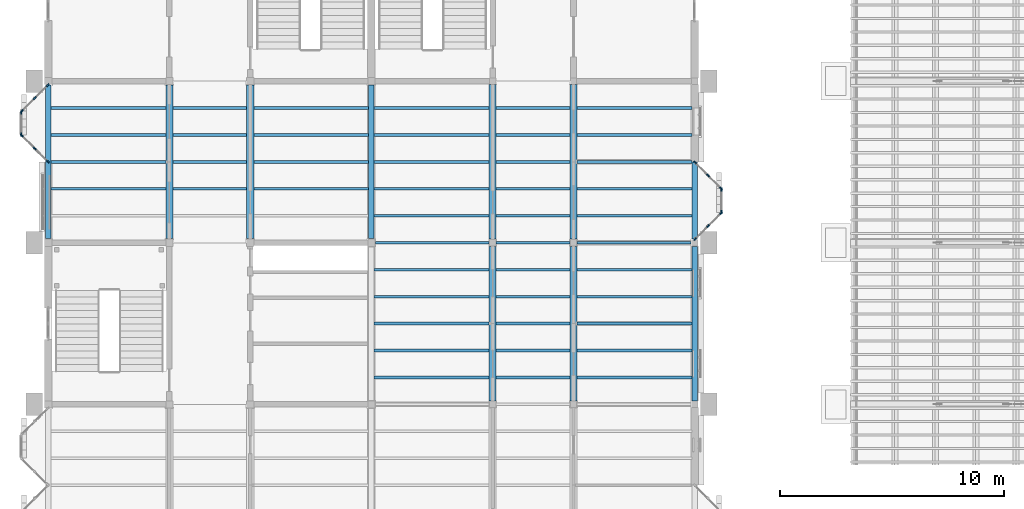
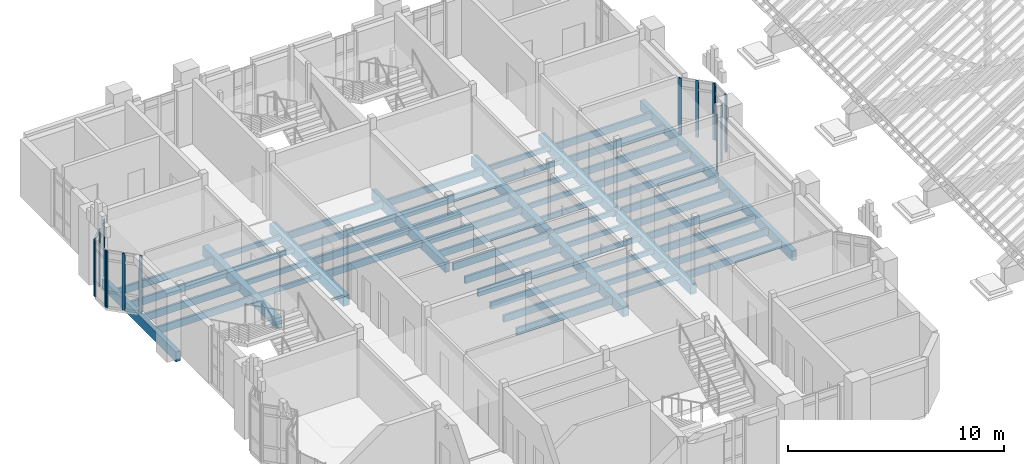
# One storey, part 6 of 71: 55 beams, 16 members, 6 elements without a shape of their own.
"""IFC4 building model written with IfcOpenShell, lengths in metres."""

from ifc_helpers import new_model, si_unit, direction, frame, origin, origin_2d, place, context, subcontext, project, spatial, rectangle, extrude, material, layer, layer_set, material_profile, profile_set, type_object, element, aggregate, save


model = new_model("IFC4")

# Units and contexts
model_context = context("Model", 3, precision=1e-05, world=origin(), true_north=direction((0.0, 1.0)))
body_context = subcontext(model_context, "Body", "Model", "MODEL_VIEW")
ifc_project = project(units=[si_unit("LENGTHUNIT", "METRE"), si_unit("AREAUNIT", "SQUARE_METRE"), si_unit("VOLUMEUNIT", "CUBIC_METRE"), si_unit("PLANEANGLEUNIT", "RADIAN"), si_unit("MASSUNIT", "GRAM", prefix="KILO")], contexts=[model_context])

# Site, building, storey
site_placement = place(None, origin())
site = spatial("IfcSite", under=ifc_project, at=site_placement, CompositionType="ELEMENT")
building_placement = place(site_placement, origin())
building = spatial("IfcBuilding", under=site, at=building_placement, Name="Mazhai Court Health Centre", CompositionType="ELEMENT")
storey_placement = place(building_placement, frame((0.0, 0.0, 10.199951171875)))
storey = spatial("IfcBuildingStorey", under=building, at=storey_placement, Name="L02", CompositionType="ELEMENT", Elevation=10.199951171875)

# Curtain wall, members
ifc_material_1 = material(Name="Teak timber frame, glazed", Category="wood")
ifc_layer = layer(ifc_material_1, 0.10009765625)
ifc_layer_set = layer_set([ifc_layer], Name="CURTAIN WALL TIMBER 900")
curtain_wall_type = type_object("IfcCurtainWallType", Name="CURTAIN WALL TIMBER 900", PredefinedType="NOTDEFINED", material=ifc_layer_set)
curtain_wall_1_placement = place(storey_placement, origin())
curtain_wall_1 = element("IfcCurtainWall", 1, at=curtain_wall_1_placement, inside=storey, type_object=curtain_wall_type, Name="CW-ORIEL-V2-L02-A31-0", PredefinedType="NOTDEFINED")
ifc_material_2 = material(Name="Teak timber", Category="wood")
ifc_material_profile_1 = material_profile(ifc_material_2, rectangle(XDim=0.06005859375, YDim=0.159912109375, at=origin_2d()), Name="CW MULLION 60x160")
ifc_profile_set_1 = profile_set([ifc_material_profile_1], Name="Teak timber")
member_type = type_object("IfcMemberType", Name="CW MULLION 60x160", PredefinedType="MULLION", material=ifc_profile_set_1)
member_1_placement = place(storey_placement, frame((6.1787109375, 31.421142578125, 0.0), z_axis=(0.0, 0.0, 1.0), x_axis=(-0.707106781187, -0.707106781187, 0.0)))
member_1 = element("IfcMember", 2, at=member_1_placement, type_object=member_type, Name="CW mullion 1", PredefinedType="MULLION", context=body_context, shape_type="SweptSolid", body=[
    extrude(rectangle(XDim=0.06005859375, YDim=0.159912109375, at=origin_2d()), origin(), (0.0, 0.0, 1.0), 3.219970703125),
])
member_2_placement = place(storey_placement, frame((5.60009765625, 32.0, 0.0), z_axis=(0.0, 0.0, 1.0), x_axis=(-0.707106781187, -0.707106781187, 0.0)))
member_2 = element("IfcMember", 3, at=member_2_placement, type_object=member_type, Name="CW mullion 2", PredefinedType="MULLION", context=body_context, shape_type="SweptSolid", body=[
    extrude(rectangle(XDim=0.06005859375, YDim=0.159912109375, at=origin_2d()), origin(), (0.0, 0.0, 1.0), 3.219970703125),
])
member_3_placement = place(storey_placement, frame((5.021240234375, 32.578857421875, 0.0), z_axis=(0.0, 0.0, 1.0), x_axis=(-0.707106781187, -0.707106781187, 0.0)))
member_3 = element("IfcMember", 4, at=member_3_placement, type_object=member_type, Name="CW mullion 3", PredefinedType="MULLION", context=body_context, shape_type="SweptSolid", body=[
    extrude(rectangle(XDim=0.06005859375, YDim=0.159912109375, at=origin_2d()), origin(), (0.0, 0.0, 1.0), 3.219970703125),
])
aggregate(curtain_wall_1, [member_1, member_2, member_3])

curtain_wall_2_placement = place(storey_placement, origin())
curtain_wall_2 = element("IfcCurtainWall", 5, at=curtain_wall_2_placement, inside=storey, type_object=curtain_wall_type, Name="CW-ORIEL-V2-L02-A31-1", PredefinedType="NOTDEFINED")
member_4_placement = place(storey_placement, frame((5.0, 32.6298828125, 0.0), z_axis=(0.0, 0.0, 1.0), x_axis=(-1.0, 0.0, 0.0)))
member_4 = element("IfcMember", 6, at=member_4_placement, type_object=member_type, Name="CW mullion 1", PredefinedType="MULLION", context=body_context, shape_type="SweptSolid", body=[
    extrude(rectangle(XDim=0.06005859375, YDim=0.159912109375, at=origin_2d()), origin(), (0.0, 0.0, 1.0), 3.219970703125),
])
member_5_placement = place(storey_placement, frame((5.0, 33.610107421875, 0.0), z_axis=(0.0, 0.0, 1.0), x_axis=(-1.0, 0.0, 0.0)))
member_5 = element("IfcMember", 7, at=member_5_placement, type_object=member_type, Name="CW mullion 2", PredefinedType="MULLION", context=body_context, shape_type="SweptSolid", body=[
    extrude(rectangle(XDim=0.06005859375, YDim=0.159912109375, at=origin_2d()), origin(), (0.0, 0.0, 1.0), 3.219970703125),
])
aggregate(curtain_wall_2, [member_4, member_5])

curtain_wall_3_placement = place(storey_placement, origin())
curtain_wall_3 = element("IfcCurtainWall", 8, at=curtain_wall_3_placement, inside=storey, type_object=curtain_wall_type, Name="CW-ORIEL-V2-L02-A31-2", PredefinedType="NOTDEFINED")
member_6_placement = place(storey_placement, frame((5.021240234375, 33.6611328125, 0.0), z_axis=(0.0, 0.0, 1.0), x_axis=(-0.707106781187, 0.707106781187, 0.0)))
member_6 = element("IfcMember", 9, at=member_6_placement, type_object=member_type, Name="CW mullion 1", PredefinedType="MULLION", context=body_context, shape_type="SweptSolid", body=[
    extrude(rectangle(XDim=0.06005859375, YDim=0.159912109375, at=origin_2d()), origin(), (0.0, 0.0, 1.0), 3.219970703125),
])
member_7_placement = place(storey_placement, frame((5.60009765625, 34.239990234375, 0.0), z_axis=(0.0, 0.0, 1.0), x_axis=(-0.707106781187, 0.707106781187, 0.0)))
member_7 = element("IfcMember", 10, at=member_7_placement, type_object=member_type, Name="CW mullion 2", PredefinedType="MULLION", context=body_context, shape_type="SweptSolid", body=[
    extrude(rectangle(XDim=0.06005859375, YDim=0.159912109375, at=origin_2d()), origin(), (0.0, 0.0, 1.0), 3.219970703125),
])
member_8_placement = place(storey_placement, frame((6.1787109375, 34.81884765625, 0.0), z_axis=(0.0, 0.0, 1.0), x_axis=(-0.707106781187, 0.707106781187, 0.0)))
member_8 = element("IfcMember", 11, at=member_8_placement, type_object=member_type, Name="CW mullion 3", PredefinedType="MULLION", context=body_context, shape_type="SweptSolid", body=[
    extrude(rectangle(XDim=0.06005859375, YDim=0.159912109375, at=origin_2d()), origin(), (0.0, 0.0, 1.0), 3.219970703125),
])
aggregate(curtain_wall_3, [member_6, member_7, member_8])

curtain_wall_4_placement = place(storey_placement, origin())
curtain_wall_4 = element("IfcCurtainWall", 12, at=curtain_wall_4_placement, inside=storey, type_object=curtain_wall_type, Name="CW-ORIEL-V5-L02-B30-0", PredefinedType="NOTDEFINED")
member_9_placement = place(storey_placement, frame((35.021240234375, 27.961181640625, 0.0), z_axis=(0.0, 0.0, 1.0), x_axis=(-0.707106781187, 0.707106781187, 0.0)))
member_9 = element("IfcMember", 13, at=member_9_placement, type_object=member_type, Name="CW mullion 1", PredefinedType="MULLION", context=body_context, shape_type="SweptSolid", body=[
    extrude(rectangle(XDim=0.06005859375, YDim=0.159912109375, at=origin_2d()), origin(), (0.0, 0.0, 1.0), 3.219970703125),
])
member_10_placement = place(storey_placement, frame((35.60009765625, 28.5400390625, 0.0), z_axis=(0.0, 0.0, 1.0), x_axis=(-0.707106781187, 0.707106781187, 0.0)))
member_10 = element("IfcMember", 14, at=member_10_placement, type_object=member_type, Name="CW mullion 2", PredefinedType="MULLION", context=body_context, shape_type="SweptSolid", body=[
    extrude(rectangle(XDim=0.06005859375, YDim=0.159912109375, at=origin_2d()), origin(), (0.0, 0.0, 1.0), 3.219970703125),
])
member_11_placement = place(storey_placement, frame((36.1787109375, 29.118896484375, 0.0), z_axis=(0.0, 0.0, 1.0), x_axis=(-0.707106781187, 0.707106781187, 0.0)))
member_11 = element("IfcMember", 15, at=member_11_placement, type_object=member_type, Name="CW mullion 3", PredefinedType="MULLION", context=body_context, shape_type="SweptSolid", body=[
    extrude(rectangle(XDim=0.06005859375, YDim=0.159912109375, at=origin_2d()), origin(), (0.0, 0.0, 1.0), 3.219970703125),
])
aggregate(curtain_wall_4, [member_9, member_10, member_11])

curtain_wall_5_placement = place(storey_placement, origin())
curtain_wall_5 = element("IfcCurtainWall", 16, at=curtain_wall_5_placement, inside=storey, type_object=curtain_wall_type, Name="CW-ORIEL-V5-L02-B30-1", PredefinedType="NOTDEFINED")
member_12_placement = place(storey_placement, frame((36.199951171875, 29.169921875, 0.0), z_axis=(0.0, 0.0, 1.0), x_axis=(-1.0, 0.0, 0.0)))
member_12 = element("IfcMember", 17, at=member_12_placement, type_object=member_type, Name="CW mullion 1", PredefinedType="MULLION", context=body_context, shape_type="SweptSolid", body=[
    extrude(rectangle(XDim=0.06005859375, YDim=0.159912109375, at=origin_2d()), origin(), (0.0, 0.0, 1.0), 3.219970703125),
])
member_13_placement = place(storey_placement, frame((36.199951171875, 30.169921875, 0.0), z_axis=(0.0, 0.0, 1.0), x_axis=(-1.0, 0.0, 0.0)))
member_13 = element("IfcMember", 18, at=member_13_placement, type_object=member_type, Name="CW mullion 2", PredefinedType="MULLION", context=body_context, shape_type="SweptSolid", body=[
    extrude(rectangle(XDim=0.06005859375, YDim=0.159912109375, at=origin_2d()), origin(), (0.0, 0.0, 1.0), 3.219970703125),
])
aggregate(curtain_wall_5, [member_12, member_13])

curtain_wall_6_placement = place(storey_placement, origin())
curtain_wall_6 = element("IfcCurtainWall", 19, at=curtain_wall_6_placement, inside=storey, type_object=curtain_wall_type, Name="CW-ORIEL-V5-L02-B30-2", PredefinedType="NOTDEFINED")
member_14_placement = place(storey_placement, frame((36.1787109375, 30.22119140625, 0.0), z_axis=(0.0, 0.0, 1.0), x_axis=(-0.707106781187, -0.707106781187, 0.0)))
member_14 = element("IfcMember", 20, at=member_14_placement, type_object=member_type, Name="CW mullion 1", PredefinedType="MULLION", context=body_context, shape_type="SweptSolid", body=[
    extrude(rectangle(XDim=0.06005859375, YDim=0.159912109375, at=origin_2d()), origin(), (0.0, 0.0, 1.0), 3.219970703125),
])
member_15_placement = place(storey_placement, frame((35.60009765625, 30.800048828125, 0.0), z_axis=(0.0, 0.0, 1.0), x_axis=(-0.707106781187, -0.707106781187, 0.0)))
member_15 = element("IfcMember", 21, at=member_15_placement, type_object=member_type, Name="CW mullion 2", PredefinedType="MULLION", context=body_context, shape_type="SweptSolid", body=[
    extrude(rectangle(XDim=0.06005859375, YDim=0.159912109375, at=origin_2d()), origin(), (0.0, 0.0, 1.0), 3.219970703125),
])
member_16_placement = place(storey_placement, frame((35.021240234375, 31.37890625, 0.0), z_axis=(0.0, 0.0, 1.0), x_axis=(-0.707106781187, -0.707106781187, 0.0)))
member_16 = element("IfcMember", 22, at=member_16_placement, type_object=member_type, Name="CW mullion 3", PredefinedType="MULLION", context=body_context, shape_type="SweptSolid", body=[
    extrude(rectangle(XDim=0.06005859375, YDim=0.159912109375, at=origin_2d()), origin(), (0.0, 0.0, 1.0), 3.219970703125),
])
aggregate(curtain_wall_6, [member_14, member_15, member_16])

# Beams
ifc_material_3 = material(Name="Glulam GL24h", Category="wood")
ifc_material_profile_2 = material_profile(ifc_material_3, rectangle(XDim=0.1201171875, YDim=0.280029296875, at=origin_2d()), Name="GL24h 120x280")
ifc_profile_set_2 = profile_set([ifc_material_profile_2], Name="Glulam GL24h")
beam_type_1 = type_object("IfcBeamType", Name="GL24h 120x280 joist", PredefinedType="JOIST", material=ifc_profile_set_2)
for number, where, z_axis, x_axis, name in (
    (23, (11.760009765625, 30.199951171875, -0.260009765625), (1.0, 0.0, 0.0), (0.0, 1.0, 0.0), "joist-V2-L02-3-B2"),
    (24, (11.760009765625, 31.39990234375, -0.260009765625), (1.0, 0.0, 0.0), (0.0, 1.0, 0.0), "joist-V2-L02-3-B3"),
    (25, (11.760009765625, 32.60009765625, -0.260009765625), (1.0, 0.0, 0.0), (0.0, 1.0, 0.0), "joist-V2-L02-3-B4"),
    (26, (11.760009765625, 33.800048828125, -0.260009765625), (1.0, 0.0, 0.0), (0.0, 1.0, 0.0), "joist-V2-L02-3-B5"),
    (27, (26.159912109375, 21.800048828125, -0.260009765625), (1.0, 0.0, 0.0), (0.0, 1.0, 0.0), "joist-V5-L02-2-B1"),
    (28, (26.159912109375, 23.0, -0.260009765625), (1.0, 0.0, 0.0), (0.0, 1.0, 0.0), "joist-V5-L02-2-B2"),
    (29, (26.159912109375, 24.199951171875, -0.260009765625), (1.0, 0.0, 0.0), (0.0, 1.0, 0.0), "joist-V5-L02-2-B3"),
    (30, (26.159912109375, 25.39990234375, -0.260009765625), (1.0, 0.0, 0.0), (0.0, 1.0, 0.0), "joist-V5-L02-2-B4"),
    (31, (26.159912109375, 26.60009765625, -0.260009765625), (1.0, 0.0, 0.0), (0.0, 1.0, 0.0), "joist-V5-L02-2-B5"),
    (32, (26.159912109375, 27.800048828125, -0.260009765625), (1.0, 0.0, 0.0), (0.0, 1.0, 0.0), "joist-V5-L02-3-B0"),
    (33, (26.159912109375, 29.0, -0.260009765625), (1.0, 0.0, 0.0), (0.0, 1.0, 0.0), "joist-V5-L02-3-B1"),
    (34, (26.159912109375, 30.199951171875, -0.260009765625), (1.0, 0.0, 0.0), (0.0, 1.0, 0.0), "joist-V5-L02-3-B2"),
    (35, (26.159912109375, 31.39990234375, -0.260009765625), (1.0, 0.0, 0.0), (0.0, 1.0, 0.0), "joist-V5-L02-3-B3"),
    (36, (26.159912109375, 32.60009765625, -0.260009765625), (1.0, 0.0, 0.0), (0.0, 1.0, 0.0), "joist-V5-L02-3-B4"),
    (37, (26.159912109375, 33.800048828125, -0.260009765625), (1.0, 0.0, 0.0), (0.0, 1.0, 0.0), "joist-V5-L02-3-B5"),
):
    element("IfcBeam", number, at=place(storey_placement, frame(where, z_axis=z_axis, x_axis=x_axis)), inside=storey, type_object=beam_type_1, Name=name, PredefinedType="JOIST", context=body_context, shape_type="SweptSolid", body=[
        extrude(rectangle(XDim=0.1201171875, YDim=0.280029296875, at=origin_2d()), origin(), (0.0, 0.0, 1.0), 3.280029296875),
    ])
ifc_material_4 = material(Name="Glulam GL24h", Category="wood")
ifc_material_profile_3 = material_profile(ifc_material_4, rectangle(XDim=0.1201171875, YDim=0.39990234375, at=origin_2d()), Name="GL24h 120x400")
ifc_profile_set_3 = profile_set([ifc_material_profile_3], Name="Glulam GL24h")
beam_type_2 = type_object("IfcBeamType", Name="GL24h 120x400 joist", PredefinedType="JOIST", material=ifc_profile_set_3)
for number, where, z_axis, x_axis, name in (
    (38, (6.320068359375, 30.199951171875, -0.320068359375), (1.0, 0.0, 0.0), (0.0, 1.0, 0.0), "joist-V2-L02-3-A2"),
    (39, (6.320068359375, 31.39990234375, -0.320068359375), (1.0, 0.0, 0.0), (0.0, 1.0, 0.0), "joist-V2-L02-3-A3"),
    (40, (6.320068359375, 32.60009765625, -0.320068359375), (1.0, 0.0, 0.0), (0.0, 1.0, 0.0), "joist-V2-L02-3-A4"),
    (41, (6.320068359375, 33.800048828125, -0.320068359375), (1.0, 0.0, 0.0), (0.0, 1.0, 0.0), "joist-V2-L02-3-A5"),
    (42, (15.360107421875, 30.199951171875, -0.320068359375), (1.0, 0.0, 0.0), (0.0, 1.0, 0.0), "joist-V2-L02-3-C2"),
    (43, (15.360107421875, 31.39990234375, -0.320068359375), (1.0, 0.0, 0.0), (0.0, 1.0, 0.0), "joist-V2-L02-3-C3"),
    (44, (15.360107421875, 32.60009765625, -0.320068359375), (1.0, 0.0, 0.0), (0.0, 1.0, 0.0), "joist-V2-L02-3-C4"),
    (45, (15.360107421875, 33.800048828125, -0.320068359375), (1.0, 0.0, 0.0), (0.0, 1.0, 0.0), "joist-V2-L02-3-C5"),
):
    element("IfcBeam", number, at=place(storey_placement, frame(where, z_axis=z_axis, x_axis=x_axis)), inside=storey, type_object=beam_type_2, Name=name, PredefinedType="JOIST", context=body_context, shape_type="SweptSolid", body=[
        extrude(rectangle(XDim=0.1201171875, YDim=0.39990234375, at=origin_2d()), origin(), (0.0, 0.0, 1.0), 5.119873046875),
    ])
for number, where, z_axis, x_axis, name in (
    (46, (20.719970703125, 21.800048828125, -0.320068359375), (1.0, 0.0, 0.0), (0.0, 1.0, 0.0), "joist-V5-L02-2-A1"),
    (47, (20.719970703125, 23.0, -0.320068359375), (1.0, 0.0, 0.0), (0.0, 1.0, 0.0), "joist-V5-L02-2-A2"),
    (48, (20.719970703125, 24.199951171875, -0.320068359375), (1.0, 0.0, 0.0), (0.0, 1.0, 0.0), "joist-V5-L02-2-A3"),
    (49, (20.719970703125, 25.39990234375, -0.320068359375), (1.0, 0.0, 0.0), (0.0, 1.0, 0.0), "joist-V5-L02-2-A4"),
    (50, (20.719970703125, 26.60009765625, -0.320068359375), (1.0, 0.0, 0.0), (0.0, 1.0, 0.0), "joist-V5-L02-2-A5"),
):
    element("IfcBeam", number, at=place(storey_placement, frame(where, z_axis=z_axis, x_axis=x_axis)), inside=storey, type_object=beam_type_2, Name=name, PredefinedType="JOIST", context=body_context, shape_type="SweptSolid", body=[
        extrude(rectangle(XDim=0.1201171875, YDim=0.39990234375, at=origin_2d()), origin(), (0.0, 0.0, 1.0), 5.1201171875),
    ])
for number, where, z_axis, x_axis, name in (
    (51, (29.760009765625, 21.800048828125, -0.320068359375), (1.0, 0.0, 0.0), (0.0, 1.0, 0.0), "joist-V5-L02-2-C1"),
    (52, (29.760009765625, 23.0, -0.320068359375), (1.0, 0.0, 0.0), (0.0, 1.0, 0.0), "joist-V5-L02-2-C2"),
    (53, (29.760009765625, 24.199951171875, -0.320068359375), (1.0, 0.0, 0.0), (0.0, 1.0, 0.0), "joist-V5-L02-2-C3"),
    (54, (29.760009765625, 25.39990234375, -0.320068359375), (1.0, 0.0, 0.0), (0.0, 1.0, 0.0), "joist-V5-L02-2-C4"),
    (55, (29.760009765625, 26.60009765625, -0.320068359375), (1.0, 0.0, 0.0), (0.0, 1.0, 0.0), "joist-V5-L02-2-C5"),
):
    element("IfcBeam", number, at=place(storey_placement, frame(where, z_axis=z_axis, x_axis=x_axis)), inside=storey, type_object=beam_type_2, Name=name, PredefinedType="JOIST", context=body_context, shape_type="SweptSolid", body=[
        extrude(rectangle(XDim=0.1201171875, YDim=0.39990234375, at=origin_2d()), origin(), (0.0, 0.0, 1.0), 5.119873046875),
    ])
beam_1_placement = place(storey_placement, frame((20.780029296875, 27.800048828125, -0.320068359375), z_axis=(1.0, 0.0, 0.0), x_axis=(0.0, 1.0, 0.0)))
element("IfcBeam", 56, at=beam_1_placement, inside=storey, type_object=beam_type_2, Name="joist-V5-L02-3-A0", PredefinedType="JOIST", context=body_context, shape_type="SweptSolid", body=[
    extrude(rectangle(XDim=0.1201171875, YDim=0.39990234375, at=origin_2d()), origin(), (0.0, 0.0, 1.0), 5.06005859375),
])
for number, where, z_axis, x_axis, name in (
    (57, (20.719970703125, 29.0, -0.320068359375), (1.0, 0.0, 0.0), (0.0, 1.0, 0.0), "joist-V5-L02-3-A1"),
    (58, (20.719970703125, 30.199951171875, -0.320068359375), (1.0, 0.0, 0.0), (0.0, 1.0, 0.0), "joist-V5-L02-3-A2"),
    (59, (20.719970703125, 31.39990234375, -0.320068359375), (1.0, 0.0, 0.0), (0.0, 1.0, 0.0), "joist-V5-L02-3-A3"),
    (60, (20.719970703125, 32.60009765625, -0.320068359375), (1.0, 0.0, 0.0), (0.0, 1.0, 0.0), "joist-V5-L02-3-A4"),
    (61, (20.719970703125, 33.800048828125, -0.320068359375), (1.0, 0.0, 0.0), (0.0, 1.0, 0.0), "joist-V5-L02-3-A5"),
):
    element("IfcBeam", number, at=place(storey_placement, frame(where, z_axis=z_axis, x_axis=x_axis)), inside=storey, type_object=beam_type_2, Name=name, PredefinedType="JOIST", context=body_context, shape_type="SweptSolid", body=[
        extrude(rectangle(XDim=0.1201171875, YDim=0.39990234375, at=origin_2d()), origin(), (0.0, 0.0, 1.0), 5.1201171875),
    ])
beam_2_placement = place(storey_placement, frame((29.760009765625, 27.800048828125, -0.320068359375), z_axis=(1.0, 0.0, 0.0), x_axis=(0.0, 1.0, 0.0)))
element("IfcBeam", 62, at=beam_2_placement, inside=storey, type_object=beam_type_2, Name="joist-V5-L02-3-C0", PredefinedType="JOIST", context=body_context, shape_type="SweptSolid", body=[
    extrude(rectangle(XDim=0.1201171875, YDim=0.39990234375, at=origin_2d()), origin(), (0.0, 0.0, 1.0), 5.080078125),
])
for number, where, z_axis, x_axis, name in (
    (63, (29.760009765625, 29.0, -0.320068359375), (1.0, 0.0, 0.0), (0.0, 1.0, 0.0), "joist-V5-L02-3-C1"),
    (64, (29.760009765625, 30.199951171875, -0.320068359375), (1.0, 0.0, 0.0), (0.0, 1.0, 0.0), "joist-V5-L02-3-C2"),
    (65, (29.760009765625, 31.39990234375, -0.320068359375), (1.0, 0.0, 0.0), (0.0, 1.0, 0.0), "joist-V5-L02-3-C3"),
    (66, (29.760009765625, 32.60009765625, -0.320068359375), (1.0, 0.0, 0.0), (0.0, 1.0, 0.0), "joist-V5-L02-3-C4"),
    (67, (29.760009765625, 33.800048828125, -0.320068359375), (1.0, 0.0, 0.0), (0.0, 1.0, 0.0), "joist-V5-L02-3-C5"),
):
    element("IfcBeam", number, at=place(storey_placement, frame(where, z_axis=z_axis, x_axis=x_axis)), inside=storey, type_object=beam_type_2, Name=name, PredefinedType="JOIST", context=body_context, shape_type="SweptSolid", body=[
        extrude(rectangle(XDim=0.1201171875, YDim=0.39990234375, at=origin_2d()), origin(), (0.0, 0.0, 1.0), 5.119873046875),
    ])
ifc_material_5 = material(Name="Glulam GL28h", Category="wood")
ifc_material_profile_4 = material_profile(ifc_material_5, rectangle(XDim=0.239990234375, YDim=0.56005859375, at=origin_2d()), Name="GL28h 240x560")
ifc_profile_set_4 = profile_set([ifc_material_profile_4], Name="Glulam GL28h")
beam_type_3 = type_object("IfcBeamType", Name="GL28h 240x560 beam", PredefinedType="BEAM", material=ifc_profile_set_4)
for number, where, z_axis, x_axis, name in (
    (68, (6.199951171875, 27.97998046875, -0.39990234375), (0.0, 1.0, 0.0), (-1.0, 0.0, 0.0), "beam-V2-L02-3-A"),
    (69, (20.60009765625, 27.97998046875, -0.39990234375), (0.0, 1.0, 0.0), (-1.0, 0.0, 0.0), "beam-V2-L02-3-D"),
):
    element("IfcBeam", number, at=place(storey_placement, frame(where, z_axis=z_axis, x_axis=x_axis)), inside=storey, type_object=beam_type_3, Name=name, PredefinedType="BEAM", context=body_context, shape_type="SweptSolid", body=[
        extrude(rectangle(XDim=0.239990234375, YDim=0.56005859375, at=origin_2d()), origin(), (0.0, 0.0, 1.0), 6.840087890625),
    ])
beam_3_placement = place(storey_placement, frame((35.0, 20.760009765625, -0.39990234375), z_axis=(0.0, 1.0, 0.0), x_axis=(-1.0, 0.0, 0.0)))
element("IfcBeam", 70, at=beam_3_placement, inside=storey, type_object=beam_type_3, Name="beam-V5-L02-2-D", PredefinedType="BEAM", context=body_context, shape_type="SweptSolid", body=[
    extrude(rectangle(XDim=0.239990234375, YDim=0.56005859375, at=origin_2d()), origin(), (0.0, 0.0, 1.0), 6.8798828125),
])
beam_4_placement = place(storey_placement, frame((35.0, 27.9599609375, -0.39990234375), z_axis=(0.0, 1.0, 0.0), x_axis=(-1.0, 0.0, 0.0)))
element("IfcBeam", 71, at=beam_4_placement, inside=storey, type_object=beam_type_3, Name="beam-V5-L02-3-D", PredefinedType="BEAM", context=body_context, shape_type="SweptSolid", body=[
    extrude(rectangle(XDim=0.239990234375, YDim=0.56005859375, at=origin_2d()), origin(), (0.0, 0.0, 1.0), 6.880126953125),
])
ifc_material_6 = material(Name="Glulam GL28h", Category="wood")
ifc_material_profile_5 = material_profile(ifc_material_6, rectangle(XDim=0.320068359375, YDim=0.56005859375, at=origin_2d()), Name="GL28h 320x560")
ifc_profile_set_5 = profile_set([ifc_material_profile_5], Name="Glulam GL28h")
beam_type_4 = type_object("IfcBeamType", Name="GL28h 320x560 beam", PredefinedType="BEAM", material=ifc_profile_set_5)
for number, where, z_axis, x_axis, name in (
    (72, (11.60009765625, 27.97998046875, -0.39990234375), (0.0, 1.0, 0.0), (-1.0, 0.0, 0.0), "beam-V2-L02-3-B"),
    (73, (15.199951171875, 27.97998046875, -0.39990234375), (0.0, 1.0, 0.0), (-1.0, 0.0, 0.0), "beam-V2-L02-3-C"),
):
    element("IfcBeam", number, at=place(storey_placement, frame(where, z_axis=z_axis, x_axis=x_axis)), inside=storey, type_object=beam_type_4, Name=name, PredefinedType="BEAM", context=body_context, shape_type="SweptSolid", body=[
        extrude(rectangle(XDim=0.320068359375, YDim=0.56005859375, at=origin_2d()), origin(), (0.0, 0.0, 1.0), 6.840087890625),
    ])
for number, where, z_axis, x_axis, name in (
    (74, (26.0, 20.760009765625, -0.39990234375), (0.0, 1.0, 0.0), (-1.0, 0.0, 0.0), "beam-V5-L02-2-B"),
    (75, (29.60009765625, 20.760009765625, -0.39990234375), (0.0, 1.0, 0.0), (-1.0, 0.0, 0.0), "beam-V5-L02-2-C"),
):
    element("IfcBeam", number, at=place(storey_placement, frame(where, z_axis=z_axis, x_axis=x_axis)), inside=storey, type_object=beam_type_4, Name=name, PredefinedType="BEAM", context=body_context, shape_type="SweptSolid", body=[
        extrude(rectangle(XDim=0.320068359375, YDim=0.56005859375, at=origin_2d()), origin(), (0.0, 0.0, 1.0), 6.8798828125),
    ])
for number, where, z_axis, x_axis, name in (
    (76, (26.0, 27.9599609375, -0.39990234375), (0.0, 1.0, 0.0), (-1.0, 0.0, 0.0), "beam-V5-L02-3-B"),
    (77, (29.60009765625, 27.9599609375, -0.39990234375), (0.0, 1.0, 0.0), (-1.0, 0.0, 0.0), "beam-V5-L02-3-C"),
):
    element("IfcBeam", number, at=place(storey_placement, frame(where, z_axis=z_axis, x_axis=x_axis)), inside=storey, type_object=beam_type_4, Name=name, PredefinedType="BEAM", context=body_context, shape_type="SweptSolid", body=[
        extrude(rectangle(XDim=0.320068359375, YDim=0.56005859375, at=origin_2d()), origin(), (0.0, 0.0, 1.0), 6.880126953125),
    ])

save(model, "model.ifc")
